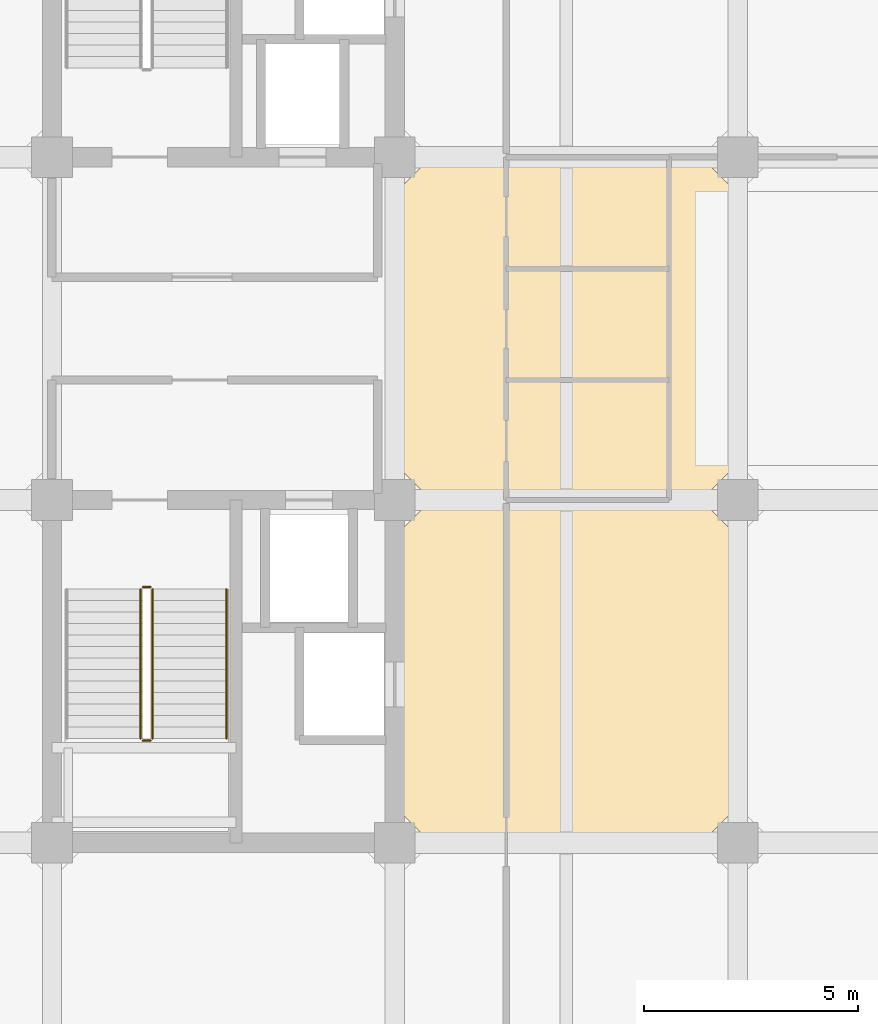
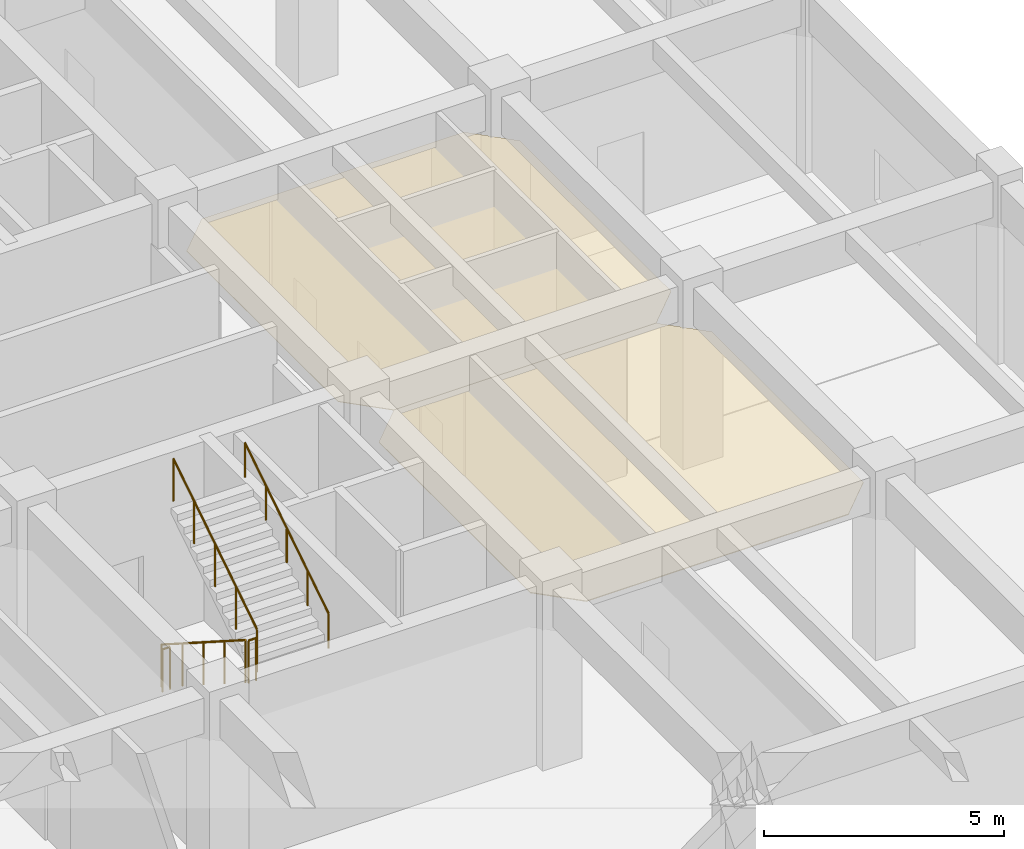
# One storey, part 246 of 248: 5 railings, 2 coverings.
"""IFC4 building model written with IfcOpenShell, lengths in metres."""

import ifcopenshell
import ifcopenshell.guid

model = None  # the IFC model being written
_history = None  # IfcOwnerHistory: only IFC2X3 demands one
_inside = {}  # id of a spatial element -> (the spatial element, [elements in it])
_under = {}  # id of a project, library or spatial element -> (it, [spatial elements below it])
_declared = {}  # id of a project -> (the project, [libraries it declares])
_typed = {}  # id of a type object -> (the type object, [elements of that type])
_made_of = {}  # id of a material, layer set ... -> (it, [elements and type objects made of it])


def new_model(schema):
    """Start an empty IFC model of exactly this schema.

    Asked for "IFC4X3", IfcOpenShell would pick the latest addendum, in which some entities
    have other attributes; the version numbers below select the first issue.
    IFC2X3 requires an IfcOwnerHistory on every rooted entity: one is made here for all.
    """
    global model, _history
    if schema == "IFC4X3":
        model = ifcopenshell.file(schema_version=(4, 3, 0, 0))
    else:
        model = ifcopenshell.file(schema=schema)
    _inside.clear()
    _under.clear()
    _declared.clear()
    _typed.clear()
    _made_of.clear()
    _history = None
    if model.schema == "IFC2X3":
        org = make("IfcOrganization", Name="unknown")
        user = make(
            "IfcPersonAndOrganization",
            ThePerson=make("IfcPerson", FamilyName="unknown"),
            TheOrganization=org,
        )
        app = make(
            "IfcApplication",
            ApplicationDeveloper=org,
            Version="unknown",
            ApplicationFullName="unknown",
            ApplicationIdentifier="unknown",
        )
        _history = make(
            "IfcOwnerHistory",
            OwningUser=user,
            OwningApplication=app,
            ChangeAction="ADDED",
            CreationDate=0,
        )
    return model


def make(cls, **values):
    """One entity of the class cls with the attributes given. An attribute that is None is left unset."""
    return model.create_entity(
        cls, **{name: value for name, value in values.items() if value is not None}
    )


def rooted(cls, **values):
    """An entity with a GlobalId (a new one), such as an element, a storey or a relation."""
    return make(cls, GlobalId=ifcopenshell.guid.new(), OwnerHistory=_history, **values)


def si_unit(unit_type, name, prefix=None):
    """IfcSIUnit, for example si_unit("LENGTHUNIT", "METRE", prefix="MILLI")."""
    return make("IfcSIUnit", UnitType=unit_type, Prefix=prefix, Name=name)


def assignment(units):
    """IfcUnitAssignment: the units of a project."""
    return None if units is None else make("IfcUnitAssignment", Units=units)


def point(xyz):
    """IfcCartesianPoint."""
    return None if xyz is None else make("IfcCartesianPoint", Coordinates=xyz)


def direction(xyz):
    """IfcDirection."""
    return None if xyz is None else make("IfcDirection", DirectionRatios=xyz)


def frame(location, z_axis=None, x_axis=None):
    """IfcAxis2Placement3D, a coordinate frame: its origin and axes. An axis left out is left unset."""
    return make(
        "IfcAxis2Placement3D",
        Location=point(location),
        Axis=direction(z_axis),
        RefDirection=direction(x_axis),
    )


def frame_2d(location, x_axis=None):
    """IfcAxis2Placement2D, a coordinate frame in the plane: its origin and x axis."""
    return make(
        "IfcAxis2Placement2D", Location=point(location), RefDirection=direction(x_axis)
    )


def origin():
    """The frame at (0, 0, 0) with its axes left unset."""
    return frame((0.0, 0.0, 0.0))


def origin_2d():
    """The frame at (0, 0) in the plane with its x axis left unset."""
    return frame_2d((0.0, 0.0))


def place(relative_to, where):
    """IfcLocalPlacement: puts the frame where relative to a parent placement (None: the world)."""
    return make(
        "IfcLocalPlacement", PlacementRelTo=relative_to, RelativePlacement=where
    )


def context(
    kind, dimensions, precision=None, world=None, true_north=None, identifier=None
):
    """IfcGeometricRepresentationContext, for example the 3D "Model" context."""
    return make(
        "IfcGeometricRepresentationContext",
        ContextIdentifier=identifier,
        ContextType=kind,
        CoordinateSpaceDimension=dimensions,
        Precision=precision,
        WorldCoordinateSystem=world,
        TrueNorth=true_north,
    )


def subcontext(parent, identifier, kind, view, scale=None):
    """IfcGeometricRepresentationSubContext, for example "Body" below "Model"."""
    return make(
        "IfcGeometricRepresentationSubContext",
        ContextIdentifier=identifier,
        ContextType=kind,
        ParentContext=parent,
        TargetScale=scale,
        TargetView=view,
    )


def project(units=None, contexts=None):
    """IfcProject with its units and contexts."""
    return rooted(
        "IfcProject",
        Name="project",
        RepresentationContexts=contexts,
        UnitsInContext=assignment(units),
    )


def spatial(cls, under=None, at=None, **own):
    """A site, building, storey or space (cls), placed at a placement, below another one or the project."""
    s = rooted(cls, ObjectPlacement=at, **own)
    if under is not None:
        _under.setdefault(under.id(), (under, []))[1].append(s)
    return s


def polyline(points):
    """IfcPolyline through the points."""
    return make("IfcPolyline", Points=[point(p) for p in points])


def profile(cls, at=None, kind="AREA", **sizes):
    """A parametric profile (cls). Its sizes go by their IFC names, for example OverallWidth=200.0."""
    return make(cls, ProfileType=kind, Position=at, **sizes)


def circle(**sizes):
    """IfcCircleProfileDef."""
    return profile("IfcCircleProfileDef", **sizes)


def outline(outer, holes=None, kind="AREA"):
    """IfcArbitraryClosedProfileDef: a profile drawn as a closed curve; with holes, ...WithVoids."""
    if holes is None:
        return make("IfcArbitraryClosedProfileDef", ProfileType=kind, OuterCurve=outer)
    return make(
        "IfcArbitraryProfileDefWithVoids",
        ProfileType=kind,
        OuterCurve=outer,
        InnerCurves=holes,
    )


def extrude(swept, where, along, depth):
    """IfcExtrudedAreaSolid: the profile swept, set in the frame where, extruded along a direction by depth."""
    return make(
        "IfcExtrudedAreaSolid",
        SweptArea=swept,
        Position=where,
        ExtrudedDirection=direction(along),
        Depth=depth,
    )


def shape(context_of_items, identifier, shape_type, items):
    """IfcShapeRepresentation: the items that make up one representation, for example the "Body"."""
    return make(
        "IfcShapeRepresentation",
        ContextOfItems=context_of_items,
        RepresentationIdentifier=identifier,
        RepresentationType=shape_type,
        Items=items,
    )


def material(Name=None, Category=None):
    """IfcMaterial."""
    return make("IfcMaterial", Name=Name, Category=Category)


def layer(
    of_material, thickness, ventilated=None, Name=None, Category=None, Priority=None
):
    """IfcMaterialLayer: one layer of a wall or slab, of a material (None: an air gap)."""
    return make(
        "IfcMaterialLayer",
        Material=of_material,
        LayerThickness=thickness,
        IsVentilated=ventilated,
        Name=Name,
        Category=Category,
        Priority=Priority,
    )


def layer_set(layers, Name=None):
    """IfcMaterialLayerSet."""
    return make("IfcMaterialLayerSet", MaterialLayers=layers, LayerSetName=Name)


def made_of(thing, what):
    """Note that an element or type object is made of a material, layer set ...; save() writes the relation."""
    if what is not None:
        _made_of.setdefault(what.id(), (what, []))[1].append(thing)
    return thing


def type_object(cls, material=None, **own):
    """A type object (cls), such as IfcWallType, which elements share."""
    return made_of(rooted(cls, **own), material)


def element(
    cls,
    number,
    at=None,
    inside=None,
    cuts=None,
    type_object=None,
    material=None,
    context=None,
    identifier="Body",
    shape_type=None,
    held_by="IfcProductDefinitionShape",
    body=None,
    shapes=None,
    **own,
):
    """One element of the class cls, such as IfcWall. Its Tag is "e" and its number.

    at: its placement. inside: the storey or other place that contains it. cuts: it is an
    opening in that element (IfcRelVoidsElement). A single representation is given by context,
    identifier, shape_type and body (its items); several are given by shapes. held_by: the class
    of the entity that holds the representations. save() writes the other relations.
    """
    e = rooted(cls, Tag="e%d" % number, ObjectPlacement=at, **own)
    if body is not None:
        shapes = [shape(context, identifier, shape_type, body)]
    if shapes is not None:
        e.Representation = make(held_by, Representations=shapes)
    if inside is not None:
        _inside.setdefault(inside.id(), (inside, []))[1].append(e)
    if cuts is not None:
        rooted(
            "IfcRelVoidsElement", RelatingBuildingElement=cuts, RelatedOpeningElement=e
        )
    if type_object is not None:
        _typed.setdefault(type_object.id(), (type_object, []))[1].append(e)
    return made_of(e, material)


def aggregate(whole, parts):
    """IfcRelAggregates: a whole, such as a stair, and the parts it consists of."""
    return rooted("IfcRelAggregates", RelatingObject=whole, RelatedObjects=parts)


def save(model, path):
    """Write the relations noted so far, then the file.

    IfcRelAggregates (storeys below a building ...), IfcRelContainedInSpatialStructure (elements
    in a storey), IfcRelDefinesByType, IfcRelAssociatesMaterial and IfcRelDeclares: one each for
    every whole, place, type object, material and project.
    """
    for whole, parts in _under.values():
        aggregate(whole, parts)
    for where, things in _inside.values():
        rooted(
            "IfcRelContainedInSpatialStructure",
            RelatedElements=things,
            RelatingStructure=where,
        )
    for kind, things in _typed.values():
        rooted("IfcRelDefinesByType", RelatedObjects=things, RelatingType=kind)
    for what, things in _made_of.values():
        rooted("IfcRelAssociatesMaterial", RelatedObjects=things, RelatingMaterial=what)
    for by, libraries in _declared.values():
        rooted("IfcRelDeclares", RelatingContext=by, RelatedDefinitions=libraries)
    model.write(path)


model = new_model("IFC4")

# Units and contexts
model_context = context("Model", 3, precision=1e-05, world=origin(), true_north=direction((0.0, 1.0)))
body_context = subcontext(model_context, "Body", "Model", "MODEL_VIEW")
ifc_project = project(units=[si_unit("LENGTHUNIT", "METRE"), si_unit("AREAUNIT", "SQUARE_METRE"), si_unit("VOLUMEUNIT", "CUBIC_METRE"), si_unit("PLANEANGLEUNIT", "RADIAN"), si_unit("MASSUNIT", "GRAM", prefix="KILO")], contexts=[model_context])

# Site, building, storey
site_placement = place(None, origin())
site = spatial("IfcSite", under=ifc_project, at=site_placement, CompositionType="ELEMENT")
building_placement = place(site_placement, origin())
building = spatial("IfcBuilding", under=site, at=building_placement, Name="Canggui Botanical Conservatory", CompositionType="ELEMENT")
storey_placement = place(building_placement, frame((0.0, 0.0, 5.39990234375)))
storey = spatial("IfcBuildingStorey", under=building, at=storey_placement, Name="L02", CompositionType="ELEMENT", Elevation=5.39990234375)

# Coverings
ifc_material_1 = material(Name="Mineral Fibre Acoustic Board")
ifc_layer_1 = layer(ifc_material_1, 0.014892578125, Name="Mineral Fibre Acoustic Board")
ifc_layer_set_1 = layer_set([ifc_layer_1], Name="Mineral Fibre Acoustic Board")
covering_type_1 = type_object("IfcCoveringType", Name="COV-CEIL-15", PredefinedType="CEILING", material=ifc_layer_set_1)
covering_1_placement = place(storey_placement, frame((0.0, 0.0, 3.55517578125)))
element("IfcCovering", 1, at=covering_1_placement, inside=storey, type_object=covering_type_1, Name="Suspended Acoustic Ceiling L02-162-50", PredefinedType="CEILING", context=body_context, shape_type="SweptSolid", body=[
    extrude(outline(polyline([(162.85009765625, 50.0), (169.14990234375, 50.0), (170.0, 50.85009765625), (170.0, 57.14990234375), (169.14990234375, 58.0), (162.85009765625, 58.0), (162.0, 57.14990234375), (162.0, 50.85009765625), (162.85009765625, 50.0)])), origin(), (0.0, 0.0, 1.0), 0.014892578125),
])
ifc_material_2 = material(Name="Perforated Gypsum Acoustic Panel")
ifc_layer_2 = layer(ifc_material_2, 0.02001953125, Name="Perforated Gypsum Acoustic Panel")
ifc_layer_set_2 = layer_set([ifc_layer_2], Name="Perforated Gypsum Acoustic Panel")
covering_type_2 = type_object("IfcCoveringType", Name="COV-CEIL-20", PredefinedType="CEILING", material=ifc_layer_set_2)
covering_2_placement = place(storey_placement, frame((0.0, 0.0, 3.550048828125)))
element("IfcCovering", 2, at=covering_2_placement, inside=storey, type_object=covering_type_2, Name="Suspended Acoustic Ceiling L02-162-42", PredefinedType="CEILING", context=body_context, shape_type="SweptSolid", body=[
    extrude(outline(polyline([(162.85009765625, 42.0), (169.14990234375, 42.0), (170.0, 42.85009765625), (170.0, 49.14990234375), (169.14990234375, 50.0), (162.85009765625, 50.0), (162.0, 49.14990234375), (162.0, 42.85009765625), (162.85009765625, 42.0)])), origin(), (0.0, 0.0, 1.0), 0.02001953125),
])

# Railings
ifc_material_3 = material(Name="Stainless Steel 304", Category="steel")
railing_type_1 = type_object("IfcRailingType", Name="RAIL-GUARD-1100", PredefinedType="BALUSTRADE", material=ifc_material_3)
railing_1_placement = place(storey_placement, frame((156.070068359375, 47.919921875, 0.171630859375)))
element("IfcRailing", 3, at=railing_1_placement, inside=storey, type_object=railing_type_1, Name="L02 ST-T1 stair guard 1", PredefinedType="BALUSTRADE", context=body_context, shape_type="SweptSolid", body=[
    extrude(circle(Radius=0.02392578125, at=origin_2d()), frame((0.0, 0.0, 1.076171875), z_axis=(0.0, -0.842400029615, 0.53885266085), x_axis=(1.0, 0.0, 0.0)), (0.0, 0.0, 1.0), 4.1357421875),
    extrude(circle(Radius=0.02099609375, at=origin_2d()), origin(), (0.0, 0.0, 1.0), 1.052001953125),
    extrude(circle(Radius=0.02099609375, at=origin_2d()), frame((0.0, -0.87109375, 0.55712890625)), (0.0, 0.0, 1.0), 1.052001953125),
    extrude(circle(Radius=0.02099609375, at=origin_2d()), frame((0.0, -1.741943359375, 1.1142578125)), (0.0, 0.0, 1.0), 1.052001953125),
    extrude(circle(Radius=0.02099609375, at=origin_2d()), frame((0.0, -2.61279296875, 1.67138671875)), (0.0, 0.0, 1.0), 1.052001953125),
    extrude(circle(Radius=0.02099609375, at=origin_2d()), frame((0.0, -3.48388671875, 2.228515625)), (0.0, 0.0, 1.0), 1.052001953125),
])
railing_2_placement = place(storey_placement, frame((156.1201171875, 44.385986328125, 2.400146484375)))
element("IfcRailing", 4, at=railing_2_placement, inside=storey, type_object=railing_type_1, Name="L02 ST-T1 stair guard 2", PredefinedType="BALUSTRADE", context=body_context, shape_type="SweptSolid", body=[
    extrude(circle(Radius=0.02392578125, at=origin_2d()), frame((0.0, 0.0, 1.076171875), z_axis=(1.0, 0.0, 0.0), x_axis=(0.0, 1.0, 0.0)), (0.0, 0.0, 1.0), 0.179931640625),
    extrude(circle(Radius=0.02099609375, at=origin_2d()), origin(), (0.0, 0.0, 1.0), 1.052001953125),
    extrude(circle(Radius=0.02099609375, at=origin_2d()), frame((0.179931640625, 0.0, 0.0)), (0.0, 0.0, 1.0), 1.052001953125),
])
railing_3_placement = place(storey_placement, frame((156.35009765625, 44.43603515625, 2.571533203125)))
element("IfcRailing", 5, at=railing_3_placement, inside=storey, type_object=railing_type_1, Name="L02 ST-T1 stair guard 3", PredefinedType="BALUSTRADE", context=body_context, shape_type="SweptSolid", body=[
    extrude(circle(Radius=0.02392578125, at=origin_2d()), frame((0.0, 0.0, 1.076171875), z_axis=(0.0, 0.842400029615, 0.53885266085), x_axis=(-1.0, 0.0, 0.0)), (0.0, 0.0, 1.0), 4.1357421875),
    extrude(circle(Radius=0.02099609375, at=origin_2d()), origin(), (0.0, 0.0, 1.0), 1.052001953125),
    extrude(circle(Radius=0.02099609375, at=origin_2d()), frame((0.0, 0.87109375, 0.55712890625)), (0.0, 0.0, 1.0), 1.052001953125),
    extrude(circle(Radius=0.02099609375, at=origin_2d()), frame((0.0, 1.741943359375, 1.1142578125)), (0.0, 0.0, 1.0), 1.052001953125),
    extrude(circle(Radius=0.02099609375, at=origin_2d()), frame((0.0, 2.61279296875, 1.67138671875)), (0.0, 0.0, 1.0), 1.052001953125),
    extrude(circle(Radius=0.02099609375, at=origin_2d()), frame((0.0, 3.48388671875, 2.228515625)), (0.0, 0.0, 1.0), 1.052001953125),
])
railing_4_placement = place(storey_placement, frame((156.1201171875, 47.969970703125, 0.0)))
element("IfcRailing", 6, at=railing_4_placement, inside=storey, type_object=railing_type_1, Name="L02 ST-T1 stair guard 4", PredefinedType="BALUSTRADE", context=body_context, shape_type="SweptSolid", body=[
    extrude(circle(Radius=0.02392578125, at=origin_2d()), frame((0.0, 0.0, 1.076171875), z_axis=(1.0, 0.0, 0.0), x_axis=(0.0, 1.0, 0.0)), (0.0, 0.0, 1.0), 0.179931640625),
    extrude(circle(Radius=0.02099609375, at=origin_2d()), origin(), (0.0, 0.0, 1.0), 1.052001953125),
    extrude(circle(Radius=0.02099609375, at=origin_2d()), frame((0.179931640625, 0.0, 0.0)), (0.0, 0.0, 1.0), 1.052001953125),
])
railing_type_2 = type_object("IfcRailingType", Name="RAIL-HAND-900", PredefinedType="HANDRAIL", material=ifc_material_3)
railing_5_placement = place(storey_placement, frame((158.070068359375, 44.43603515625, 2.571533203125)))
element("IfcRailing", 7, at=railing_5_placement, inside=storey, type_object=railing_type_2, Name="L02 ST-T1 stair handrail 2", PredefinedType="HANDRAIL", context=body_context, shape_type="SweptSolid", body=[
    extrude(circle(Radius=0.02392578125, at=origin_2d()), frame((0.0, 0.0, 0.8759765625), z_axis=(0.0, 0.842400029615, 0.53885266085), x_axis=(-1.0, 0.0, 0.0)), (0.0, 0.0, 1.0), 4.1357421875),
    extrude(circle(Radius=0.02099609375, at=origin_2d()), origin(), (0.0, 0.0, 1.0), 0.851806640625),
    extrude(circle(Radius=0.02099609375, at=origin_2d()), frame((0.0, 0.87109375, 0.55712890625)), (0.0, 0.0, 1.0), 0.851806640625),
    extrude(circle(Radius=0.02099609375, at=origin_2d()), frame((0.0, 1.741943359375, 1.1142578125)), (0.0, 0.0, 1.0), 0.851806640625),
    extrude(circle(Radius=0.02099609375, at=origin_2d()), frame((0.0, 2.61279296875, 1.67138671875)), (0.0, 0.0, 1.0), 0.851806640625),
    extrude(circle(Radius=0.02099609375, at=origin_2d()), frame((0.0, 3.48388671875, 2.228515625)), (0.0, 0.0, 1.0), 0.851806640625),
])

save(model, "model.ifc")
